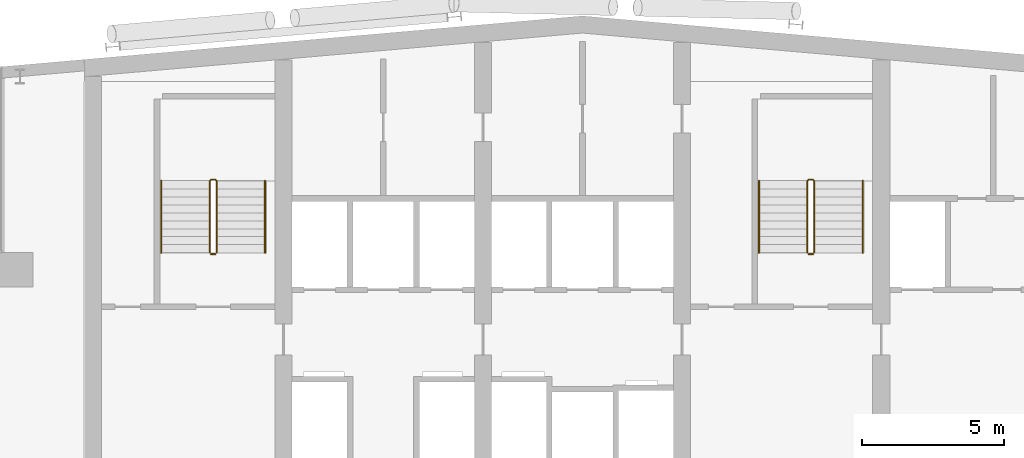
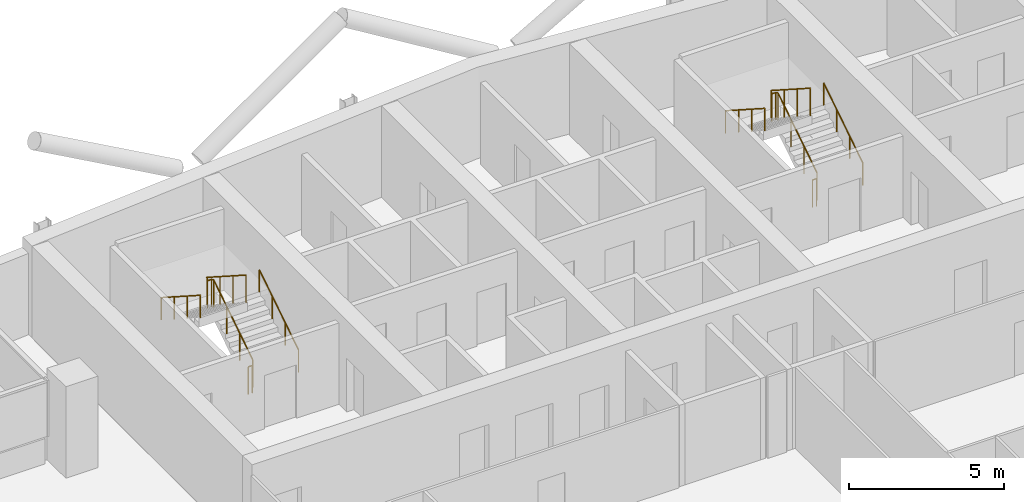
# One storey, part 26 of 26: 8 railings.
"""IFC4 building model written with IfcOpenShell, lengths in metres."""

import ifcopenshell
import ifcopenshell.guid

model = None  # the IFC model being written
_history = None  # IfcOwnerHistory: only IFC2X3 demands one
_inside = {}  # id of a spatial element -> (the spatial element, [elements in it])
_under = {}  # id of a project, library or spatial element -> (it, [spatial elements below it])
_declared = {}  # id of a project -> (the project, [libraries it declares])
_typed = {}  # id of a type object -> (the type object, [elements of that type])
_made_of = {}  # id of a material, layer set ... -> (it, [elements and type objects made of it])


def new_model(schema):
    """Start an empty IFC model of exactly this schema.

    Asked for "IFC4X3", IfcOpenShell would pick the latest addendum, in which some entities
    have other attributes; the version numbers below select the first issue.
    IFC2X3 requires an IfcOwnerHistory on every rooted entity: one is made here for all.
    """
    global model, _history
    if schema == "IFC4X3":
        model = ifcopenshell.file(schema_version=(4, 3, 0, 0))
    else:
        model = ifcopenshell.file(schema=schema)
    _inside.clear()
    _under.clear()
    _declared.clear()
    _typed.clear()
    _made_of.clear()
    _history = None
    if model.schema == "IFC2X3":
        org = make("IfcOrganization", Name="unknown")
        user = make(
            "IfcPersonAndOrganization",
            ThePerson=make("IfcPerson", FamilyName="unknown"),
            TheOrganization=org,
        )
        app = make(
            "IfcApplication",
            ApplicationDeveloper=org,
            Version="unknown",
            ApplicationFullName="unknown",
            ApplicationIdentifier="unknown",
        )
        _history = make(
            "IfcOwnerHistory",
            OwningUser=user,
            OwningApplication=app,
            ChangeAction="ADDED",
            CreationDate=0,
        )
    return model


def make(cls, **values):
    """One entity of the class cls with the attributes given. An attribute that is None is left unset."""
    return model.create_entity(
        cls, **{name: value for name, value in values.items() if value is not None}
    )


def rooted(cls, **values):
    """An entity with a GlobalId (a new one), such as an element, a storey or a relation."""
    return make(cls, GlobalId=ifcopenshell.guid.new(), OwnerHistory=_history, **values)


def si_unit(unit_type, name, prefix=None):
    """IfcSIUnit, for example si_unit("LENGTHUNIT", "METRE", prefix="MILLI")."""
    return make("IfcSIUnit", UnitType=unit_type, Prefix=prefix, Name=name)


def assignment(units):
    """IfcUnitAssignment: the units of a project."""
    return None if units is None else make("IfcUnitAssignment", Units=units)


def point(xyz):
    """IfcCartesianPoint."""
    return None if xyz is None else make("IfcCartesianPoint", Coordinates=xyz)


def direction(xyz):
    """IfcDirection."""
    return None if xyz is None else make("IfcDirection", DirectionRatios=xyz)


def frame(location, z_axis=None, x_axis=None):
    """IfcAxis2Placement3D, a coordinate frame: its origin and axes. An axis left out is left unset."""
    return make(
        "IfcAxis2Placement3D",
        Location=point(location),
        Axis=direction(z_axis),
        RefDirection=direction(x_axis),
    )


def frame_2d(location, x_axis=None):
    """IfcAxis2Placement2D, a coordinate frame in the plane: its origin and x axis."""
    return make(
        "IfcAxis2Placement2D", Location=point(location), RefDirection=direction(x_axis)
    )


def origin():
    """The frame at (0, 0, 0) with its axes left unset."""
    return frame((0.0, 0.0, 0.0))


def origin_2d():
    """The frame at (0, 0) in the plane with its x axis left unset."""
    return frame_2d((0.0, 0.0))


def place(relative_to, where):
    """IfcLocalPlacement: puts the frame where relative to a parent placement (None: the world)."""
    return make(
        "IfcLocalPlacement", PlacementRelTo=relative_to, RelativePlacement=where
    )


def context(
    kind, dimensions, precision=None, world=None, true_north=None, identifier=None
):
    """IfcGeometricRepresentationContext, for example the 3D "Model" context."""
    return make(
        "IfcGeometricRepresentationContext",
        ContextIdentifier=identifier,
        ContextType=kind,
        CoordinateSpaceDimension=dimensions,
        Precision=precision,
        WorldCoordinateSystem=world,
        TrueNorth=true_north,
    )


def subcontext(parent, identifier, kind, view, scale=None):
    """IfcGeometricRepresentationSubContext, for example "Body" below "Model"."""
    return make(
        "IfcGeometricRepresentationSubContext",
        ContextIdentifier=identifier,
        ContextType=kind,
        ParentContext=parent,
        TargetScale=scale,
        TargetView=view,
    )


def project(units=None, contexts=None):
    """IfcProject with its units and contexts."""
    return rooted(
        "IfcProject",
        Name="project",
        RepresentationContexts=contexts,
        UnitsInContext=assignment(units),
    )


def spatial(cls, under=None, at=None, **own):
    """A site, building, storey or space (cls), placed at a placement, below another one or the project."""
    s = rooted(cls, ObjectPlacement=at, **own)
    if under is not None:
        _under.setdefault(under.id(), (under, []))[1].append(s)
    return s


def profile(cls, at=None, kind="AREA", **sizes):
    """A parametric profile (cls). Its sizes go by their IFC names, for example OverallWidth=200.0."""
    return make(cls, ProfileType=kind, Position=at, **sizes)


def circle(**sizes):
    """IfcCircleProfileDef."""
    return profile("IfcCircleProfileDef", **sizes)


def extrude(swept, where, along, depth):
    """IfcExtrudedAreaSolid: the profile swept, set in the frame where, extruded along a direction by depth."""
    return make(
        "IfcExtrudedAreaSolid",
        SweptArea=swept,
        Position=where,
        ExtrudedDirection=direction(along),
        Depth=depth,
    )


def shape(context_of_items, identifier, shape_type, items):
    """IfcShapeRepresentation: the items that make up one representation, for example the "Body"."""
    return make(
        "IfcShapeRepresentation",
        ContextOfItems=context_of_items,
        RepresentationIdentifier=identifier,
        RepresentationType=shape_type,
        Items=items,
    )


def material(Name=None, Category=None):
    """IfcMaterial."""
    return make("IfcMaterial", Name=Name, Category=Category)


def made_of(thing, what):
    """Note that an element or type object is made of a material, layer set ...; save() writes the relation."""
    if what is not None:
        _made_of.setdefault(what.id(), (what, []))[1].append(thing)
    return thing


def type_object(cls, material=None, **own):
    """A type object (cls), such as IfcWallType, which elements share."""
    return made_of(rooted(cls, **own), material)


def element(
    cls,
    number,
    at=None,
    inside=None,
    cuts=None,
    type_object=None,
    material=None,
    context=None,
    identifier="Body",
    shape_type=None,
    held_by="IfcProductDefinitionShape",
    body=None,
    shapes=None,
    **own,
):
    """One element of the class cls, such as IfcWall. Its Tag is "e" and its number.

    at: its placement. inside: the storey or other place that contains it. cuts: it is an
    opening in that element (IfcRelVoidsElement). A single representation is given by context,
    identifier, shape_type and body (its items); several are given by shapes. held_by: the class
    of the entity that holds the representations. save() writes the other relations.
    """
    e = rooted(cls, Tag="e%d" % number, ObjectPlacement=at, **own)
    if body is not None:
        shapes = [shape(context, identifier, shape_type, body)]
    if shapes is not None:
        e.Representation = make(held_by, Representations=shapes)
    if inside is not None:
        _inside.setdefault(inside.id(), (inside, []))[1].append(e)
    if cuts is not None:
        rooted(
            "IfcRelVoidsElement", RelatingBuildingElement=cuts, RelatedOpeningElement=e
        )
    if type_object is not None:
        _typed.setdefault(type_object.id(), (type_object, []))[1].append(e)
    return made_of(e, material)


def aggregate(whole, parts):
    """IfcRelAggregates: a whole, such as a stair, and the parts it consists of."""
    return rooted("IfcRelAggregates", RelatingObject=whole, RelatedObjects=parts)


def save(model, path):
    """Write the relations noted so far, then the file.

    IfcRelAggregates (storeys below a building ...), IfcRelContainedInSpatialStructure (elements
    in a storey), IfcRelDefinesByType, IfcRelAssociatesMaterial and IfcRelDeclares: one each for
    every whole, place, type object, material and project.
    """
    for whole, parts in _under.values():
        aggregate(whole, parts)
    for where, things in _inside.values():
        rooted(
            "IfcRelContainedInSpatialStructure",
            RelatedElements=things,
            RelatingStructure=where,
        )
    for kind, things in _typed.values():
        rooted("IfcRelDefinesByType", RelatedObjects=things, RelatingType=kind)
    for what, things in _made_of.values():
        rooted("IfcRelAssociatesMaterial", RelatedObjects=things, RelatingMaterial=what)
    for by, libraries in _declared.values():
        rooted("IfcRelDeclares", RelatingContext=by, RelatedDefinitions=libraries)
    model.write(path)


model = new_model("IFC4")

# Units and contexts
model_context = context("Model", 3, precision=1e-05, world=origin(), true_north=direction((0.0, 1.0)))
body_context = subcontext(model_context, "Body", "Model", "MODEL_VIEW")
ifc_project = project(units=[si_unit("LENGTHUNIT", "METRE"), si_unit("AREAUNIT", "SQUARE_METRE"), si_unit("VOLUMEUNIT", "CUBIC_METRE"), si_unit("PLANEANGLEUNIT", "RADIAN"), si_unit("MASSUNIT", "GRAM", prefix="KILO")], contexts=[model_context])

# Site, building, storey
site_placement = place(None, origin())
site = spatial("IfcSite", under=ifc_project, at=site_placement, CompositionType="ELEMENT")
building_placement = place(site_placement, origin())
building = spatial("IfcBuilding", under=site, at=building_placement, Name="Wharfspan Tower", CompositionType="ELEMENT")
storey_placement = place(building_placement, frame((0.0, 0.0, 235.899902)))
storey = spatial("IfcBuildingStorey", under=building, at=storey_placement, Name="L59", CompositionType="ELEMENT", Elevation=235.899902)

# Railings
ifc_material = material(Name="Steel S355J2", Category="steel")
railing_type_1 = type_object("IfcRailingType", Name="Stair guard 1100", PredefinedType="GUARDRAIL", material=ifc_material)
railing_1_placement = place(storey_placement, frame((27.649902, 42.0, 0.180176)))
element("IfcRailing", 1, at=railing_1_placement, inside=storey, type_object=railing_type_1, Name="L59 ST1 stair guard 1", PredefinedType="GUARDRAIL", context=body_context, shape_type="SweptSolid", body=[
    extrude(circle(Radius=0.023926, at=origin_2d()), frame((0.0, 0.0, 1.076172), z_axis=(0.0, 0.8412, 0.540725), x_axis=(-1.0, 0.0, 0.0)), (0.0, 0.0, 1.0), 2.99585),
    extrude(circle(Radius=0.023926, at=origin_2d()), frame((0.0, 2.52002, 2.695801), z_axis=(-0.705376, 0.708834, 0.0), x_axis=(-0.708834, -0.705376, 0.0)), (0.0, 0.0, 1.0), 0.070557),
    extrude(circle(Radius=0.023926, at=origin_2d()), frame((-0.049805, 2.570068, 2.695801), z_axis=(-1.0, 0.0, 0.0), x_axis=(0.0, -1.0, 0.0)), (0.0, 0.0, 1.0), 0.150146),
    extrude(circle(Radius=0.023926, at=origin_2d()), frame((-0.199951, 2.570068, 2.695801), z_axis=(-0.258848, -0.258848, 0.930589), x_axis=(0.707107, -0.707107, 0.0)), (0.0, 0.0, 1.0), 0.193359),
    extrude(circle(Radius=0.023926, at=origin_2d()), frame((-0.25, 2.52002, 2.875977), z_axis=(0.0, -0.841163, 0.540782), x_axis=(1.0, 0.0, 0.0)), (0.0, 0.0, 1.0), 2.99585),
    extrude(circle(Radius=0.020996, at=origin_2d()), origin(), (0.0, 0.0, 1.0), 1.052002),
    extrude(circle(Radius=0.020996, at=origin_2d()), frame((0.0, 0.840088, 0.540039)), (0.0, 0.0, 1.0), 1.052002),
    extrude(circle(Radius=0.020996, at=origin_2d()), frame((0.0, 1.679932, 1.079834)), (0.0, 0.0, 1.0), 1.052002),
    extrude(circle(Radius=0.020996, at=origin_2d()), frame((0.0, 2.52002, 1.619873)), (0.0, 0.0, 1.0), 1.052002),
    extrude(circle(Radius=0.020996, at=origin_2d()), frame((-0.049805, 2.570068, 1.619873)), (0.0, 0.0, 1.0), 1.052002),
    extrude(circle(Radius=0.020996, at=origin_2d()), frame((-0.199951, 2.570068, 1.619873)), (0.0, 0.0, 1.0), 1.052002),
    extrude(circle(Radius=0.020996, at=origin_2d()), frame((-0.25, 2.52002, 1.799805)), (0.0, 0.0, 1.0), 1.052002),
    extrude(circle(Radius=0.020996, at=origin_2d()), frame((-0.25, 1.679932, 2.339844)), (0.0, 0.0, 1.0), 1.052002),
    extrude(circle(Radius=0.020996, at=origin_2d()), frame((-0.25, 0.840088, 2.879883)), (0.0, 0.0, 1.0), 1.052002),
    extrude(circle(Radius=0.020996, at=origin_2d()), frame((-0.25, 0.0, 3.419922)), (0.0, 0.0, 1.0), 1.052002),
])
railing_2_placement = place(storey_placement, frame((27.600098, 41.949951, 0.0)))
element("IfcRailing", 2, at=railing_2_placement, inside=storey, type_object=railing_type_1, Name="L59 ST1 stair guard 2", PredefinedType="GUARDRAIL", context=body_context, shape_type="SweptSolid", body=[
    extrude(circle(Radius=0.023926, at=origin_2d()), frame((0.0, 0.0, 1.076172), z_axis=(-1.0, 0.0, 0.0), x_axis=(0.0, -1.0, 0.0)), (0.0, 0.0, 1.0), 0.150146),
    extrude(circle(Radius=0.020996, at=origin_2d()), origin(), (0.0, 0.0, 1.0), 1.052002),
    extrude(circle(Radius=0.020996, at=origin_2d()), frame((-0.150146, 0.0, 0.0)), (0.0, 0.0, 1.0), 1.052002),
])
railing_3_placement = place(storey_placement, frame((48.649902, 42.0, 0.180176)))
element("IfcRailing", 3, at=railing_3_placement, inside=storey, type_object=railing_type_1, Name="L59 ST2 stair guard 1", PredefinedType="GUARDRAIL", context=body_context, shape_type="SweptSolid", body=[
    extrude(circle(Radius=0.023926, at=origin_2d()), frame((0.0, 0.0, 1.076172), z_axis=(0.0, 0.8412, 0.540725), x_axis=(-1.0, 0.0, 0.0)), (0.0, 0.0, 1.0), 2.99585),
    extrude(circle(Radius=0.023926, at=origin_2d()), frame((0.0, 2.52002, 2.695801), z_axis=(-0.705376, 0.708834, 0.0), x_axis=(-0.708834, -0.705376, 0.0)), (0.0, 0.0, 1.0), 0.070557),
    extrude(circle(Radius=0.023926, at=origin_2d()), frame((-0.049805, 2.570068, 2.695801), z_axis=(-1.0, 0.0, 0.0), x_axis=(0.0, -1.0, 0.0)), (0.0, 0.0, 1.0), 0.150146),
    extrude(circle(Radius=0.023926, at=origin_2d()), frame((-0.199951, 2.570068, 2.695801), z_axis=(-0.258848, -0.258848, 0.930589), x_axis=(0.707107, -0.707107, 0.0)), (0.0, 0.0, 1.0), 0.193359),
    extrude(circle(Radius=0.023926, at=origin_2d()), frame((-0.25, 2.52002, 2.875977), z_axis=(0.0, -0.841163, 0.540782), x_axis=(1.0, 0.0, 0.0)), (0.0, 0.0, 1.0), 2.99585),
    extrude(circle(Radius=0.020996, at=origin_2d()), origin(), (0.0, 0.0, 1.0), 1.052002),
    extrude(circle(Radius=0.020996, at=origin_2d()), frame((0.0, 0.840088, 0.540039)), (0.0, 0.0, 1.0), 1.052002),
    extrude(circle(Radius=0.020996, at=origin_2d()), frame((0.0, 1.679932, 1.079834)), (0.0, 0.0, 1.0), 1.052002),
    extrude(circle(Radius=0.020996, at=origin_2d()), frame((0.0, 2.52002, 1.619873)), (0.0, 0.0, 1.0), 1.052002),
    extrude(circle(Radius=0.020996, at=origin_2d()), frame((-0.049805, 2.570068, 1.619873)), (0.0, 0.0, 1.0), 1.052002),
    extrude(circle(Radius=0.020996, at=origin_2d()), frame((-0.199951, 2.570068, 1.619873)), (0.0, 0.0, 1.0), 1.052002),
    extrude(circle(Radius=0.020996, at=origin_2d()), frame((-0.25, 2.52002, 1.799805)), (0.0, 0.0, 1.0), 1.052002),
    extrude(circle(Radius=0.020996, at=origin_2d()), frame((-0.25, 1.679932, 2.339844)), (0.0, 0.0, 1.0), 1.052002),
    extrude(circle(Radius=0.020996, at=origin_2d()), frame((-0.25, 0.840088, 2.879883)), (0.0, 0.0, 1.0), 1.052002),
    extrude(circle(Radius=0.020996, at=origin_2d()), frame((-0.25, 0.0, 3.419922)), (0.0, 0.0, 1.0), 1.052002),
])
railing_4_placement = place(storey_placement, frame((48.600098, 41.949951, 0.0)))
element("IfcRailing", 4, at=railing_4_placement, inside=storey, type_object=railing_type_1, Name="L59 ST2 stair guard 2", PredefinedType="GUARDRAIL", context=body_context, shape_type="SweptSolid", body=[
    extrude(circle(Radius=0.023926, at=origin_2d()), frame((0.0, 0.0, 1.076172), z_axis=(-1.0, 0.0, 0.0), x_axis=(0.0, -1.0, 0.0)), (0.0, 0.0, 1.0), 0.150146),
    extrude(circle(Radius=0.020996, at=origin_2d()), origin(), (0.0, 0.0, 1.0), 1.052002),
    extrude(circle(Radius=0.020996, at=origin_2d()), frame((-0.150146, 0.0, 0.0)), (0.0, 0.0, 1.0), 1.052002),
])
railing_type_2 = type_object("IfcRailingType", Name="Stair handrail 900", PredefinedType="HANDRAIL", material=ifc_material)
railing_5_placement = place(storey_placement, frame((29.350098, 42.0, 0.180176)))
element("IfcRailing", 5, at=railing_5_placement, inside=storey, type_object=railing_type_2, Name="L59 ST1 stair handrail 1", PredefinedType="HANDRAIL", context=body_context, shape_type="SweptSolid", body=[
    extrude(circle(Radius=0.023926, at=origin_2d()), frame((0.0, 0.0, 0.875977), z_axis=(0.0, 0.8412, 0.540725), x_axis=(-1.0, 0.0, 0.0)), (0.0, 0.0, 1.0), 2.99585),
    extrude(circle(Radius=0.020996, at=origin_2d()), origin(), (0.0, 0.0, 1.0), 0.851807),
    extrude(circle(Radius=0.020996, at=origin_2d()), frame((0.0, 0.840088, 0.540039)), (0.0, 0.0, 1.0), 0.851807),
    extrude(circle(Radius=0.020996, at=origin_2d()), frame((0.0, 1.679932, 1.079834)), (0.0, 0.0, 1.0), 0.851807),
    extrude(circle(Radius=0.020996, at=origin_2d()), frame((0.0, 2.52002, 1.619873)), (0.0, 0.0, 1.0), 0.851807),
])
railing_6_placement = place(storey_placement, frame((25.699951, 44.52002, 1.97998)))
element("IfcRailing", 6, at=railing_6_placement, inside=storey, type_object=railing_type_2, Name="L59 ST1 stair handrail 2", PredefinedType="HANDRAIL", context=body_context, shape_type="SweptSolid", body=[
    extrude(circle(Radius=0.023926, at=origin_2d()), frame((0.0, 0.0, 0.875977), z_axis=(0.0, -0.841163, 0.540782), x_axis=(1.0, 0.0, 0.0)), (0.0, 0.0, 1.0), 2.99585),
    extrude(circle(Radius=0.020996, at=origin_2d()), origin(), (0.0, 0.0, 1.0), 0.851807),
    extrude(circle(Radius=0.020996, at=origin_2d()), frame((0.0, -0.840088, 0.540039)), (0.0, 0.0, 1.0), 0.851807),
    extrude(circle(Radius=0.020996, at=origin_2d()), frame((0.0, -1.679932, 1.080078)), (0.0, 0.0, 1.0), 0.851807),
    extrude(circle(Radius=0.020996, at=origin_2d()), frame((0.0, -2.52002, 1.620117)), (0.0, 0.0, 1.0), 0.851807),
])
railing_7_placement = place(storey_placement, frame((50.350098, 42.0, 0.180176)))
element("IfcRailing", 7, at=railing_7_placement, inside=storey, type_object=railing_type_2, Name="L59 ST2 stair handrail 1", PredefinedType="HANDRAIL", context=body_context, shape_type="SweptSolid", body=[
    extrude(circle(Radius=0.023926, at=origin_2d()), frame((0.0, 0.0, 0.875977), z_axis=(0.0, 0.8412, 0.540725), x_axis=(-1.0, 0.0, 0.0)), (0.0, 0.0, 1.0), 2.99585),
    extrude(circle(Radius=0.020996, at=origin_2d()), origin(), (0.0, 0.0, 1.0), 0.851807),
    extrude(circle(Radius=0.020996, at=origin_2d()), frame((0.0, 0.840088, 0.540039)), (0.0, 0.0, 1.0), 0.851807),
    extrude(circle(Radius=0.020996, at=origin_2d()), frame((0.0, 1.679932, 1.079834)), (0.0, 0.0, 1.0), 0.851807),
    extrude(circle(Radius=0.020996, at=origin_2d()), frame((0.0, 2.52002, 1.619873)), (0.0, 0.0, 1.0), 0.851807),
])
railing_8_placement = place(storey_placement, frame((46.699951, 44.52002, 1.97998)))
element("IfcRailing", 8, at=railing_8_placement, inside=storey, type_object=railing_type_2, Name="L59 ST2 stair handrail 2", PredefinedType="HANDRAIL", context=body_context, shape_type="SweptSolid", body=[
    extrude(circle(Radius=0.023926, at=origin_2d()), frame((0.0, 0.0, 0.875977), z_axis=(0.0, -0.841163, 0.540782), x_axis=(1.0, 0.0, 0.0)), (0.0, 0.0, 1.0), 2.99585),
    extrude(circle(Radius=0.020996, at=origin_2d()), origin(), (0.0, 0.0, 1.0), 0.851807),
    extrude(circle(Radius=0.020996, at=origin_2d()), frame((0.0, -0.840088, 0.540039)), (0.0, 0.0, 1.0), 0.851807),
    extrude(circle(Radius=0.020996, at=origin_2d()), frame((0.0, -1.679932, 1.080078)), (0.0, 0.0, 1.0), 0.851807),
    extrude(circle(Radius=0.020996, at=origin_2d()), frame((0.0, -2.52002, 1.620117)), (0.0, 0.0, 1.0), 0.851807),
])

save(model, "model.ifc")
